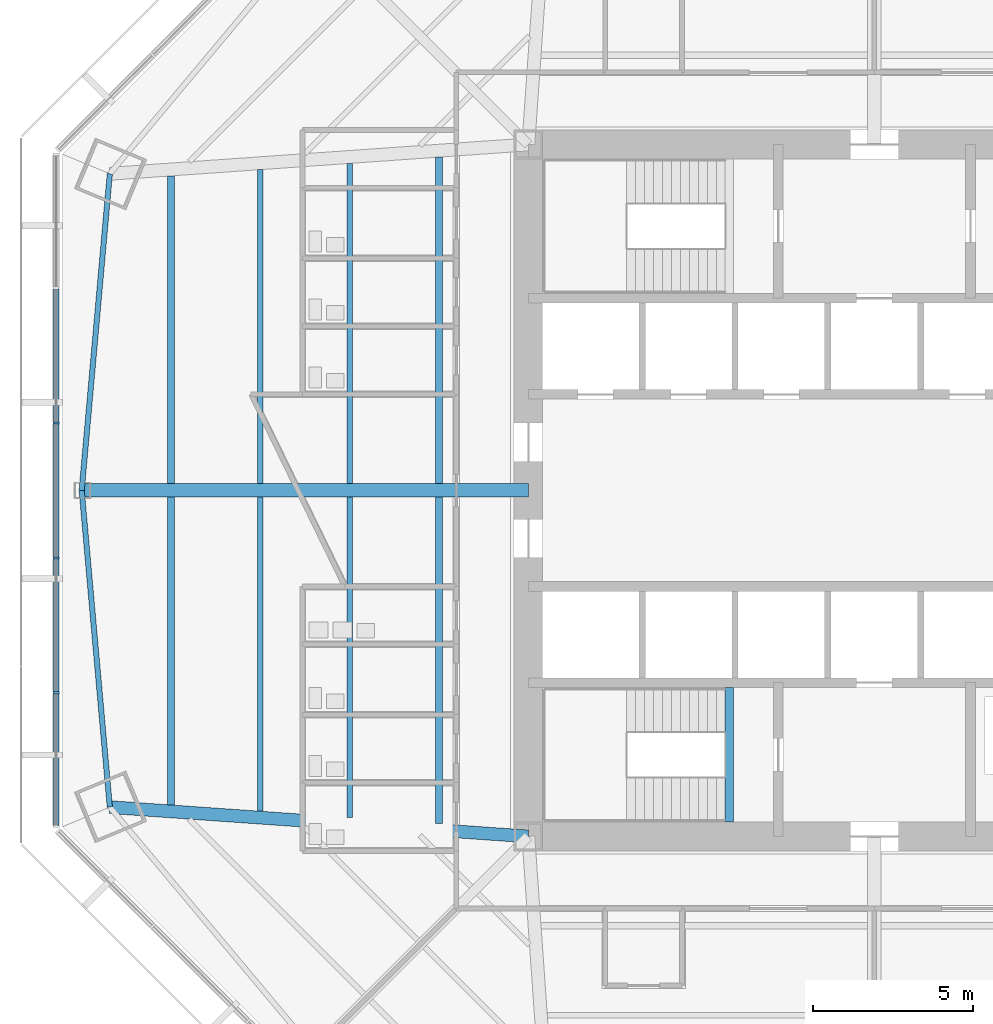
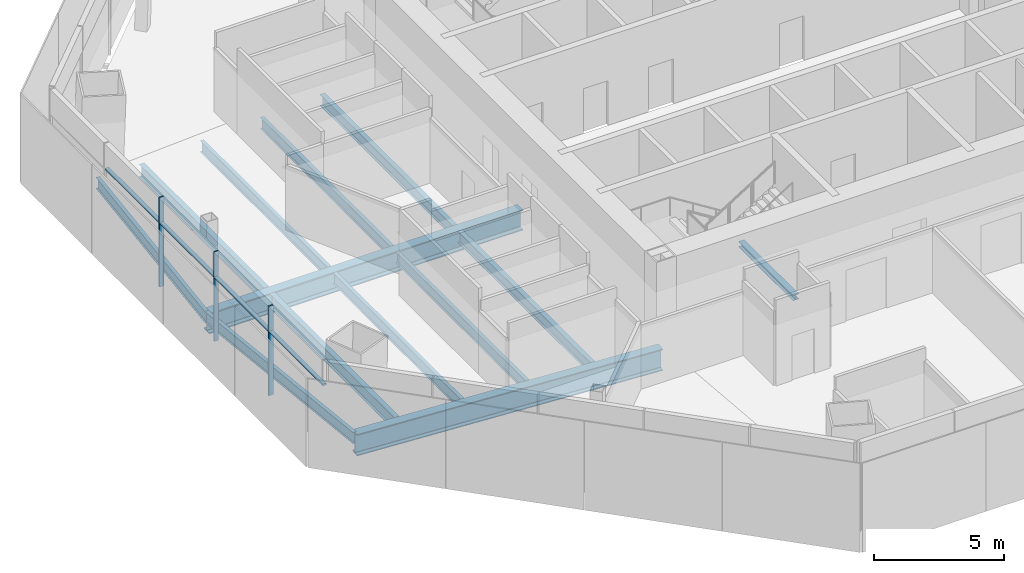
# One storey, part 3 of 17: 13 beams, 7 members, 1 element without a shape of its own.
"""IFC4 building model written with IfcOpenShell, lengths in metres."""

import ifcopenshell
import ifcopenshell.guid

model = None  # the IFC model being written
_history = None  # IfcOwnerHistory: only IFC2X3 demands one
_inside = {}  # id of a spatial element -> (the spatial element, [elements in it])
_under = {}  # id of a project, library or spatial element -> (it, [spatial elements below it])
_declared = {}  # id of a project -> (the project, [libraries it declares])
_typed = {}  # id of a type object -> (the type object, [elements of that type])
_made_of = {}  # id of a material, layer set ... -> (it, [elements and type objects made of it])


def new_model(schema):
    """Start an empty IFC model of exactly this schema.

    Asked for "IFC4X3", IfcOpenShell would pick the latest addendum, in which some entities
    have other attributes; the version numbers below select the first issue.
    IFC2X3 requires an IfcOwnerHistory on every rooted entity: one is made here for all.
    """
    global model, _history
    if schema == "IFC4X3":
        model = ifcopenshell.file(schema_version=(4, 3, 0, 0))
    else:
        model = ifcopenshell.file(schema=schema)
    _inside.clear()
    _under.clear()
    _declared.clear()
    _typed.clear()
    _made_of.clear()
    _history = None
    if model.schema == "IFC2X3":
        org = make("IfcOrganization", Name="unknown")
        user = make(
            "IfcPersonAndOrganization",
            ThePerson=make("IfcPerson", FamilyName="unknown"),
            TheOrganization=org,
        )
        app = make(
            "IfcApplication",
            ApplicationDeveloper=org,
            Version="unknown",
            ApplicationFullName="unknown",
            ApplicationIdentifier="unknown",
        )
        _history = make(
            "IfcOwnerHistory",
            OwningUser=user,
            OwningApplication=app,
            ChangeAction="ADDED",
            CreationDate=0,
        )
    return model


def make(cls, **values):
    """One entity of the class cls with the attributes given. An attribute that is None is left unset."""
    return model.create_entity(
        cls, **{name: value for name, value in values.items() if value is not None}
    )


def rooted(cls, **values):
    """An entity with a GlobalId (a new one), such as an element, a storey or a relation."""
    return make(cls, GlobalId=ifcopenshell.guid.new(), OwnerHistory=_history, **values)


def si_unit(unit_type, name, prefix=None):
    """IfcSIUnit, for example si_unit("LENGTHUNIT", "METRE", prefix="MILLI")."""
    return make("IfcSIUnit", UnitType=unit_type, Prefix=prefix, Name=name)


def assignment(units):
    """IfcUnitAssignment: the units of a project."""
    return None if units is None else make("IfcUnitAssignment", Units=units)


def point(xyz):
    """IfcCartesianPoint."""
    return None if xyz is None else make("IfcCartesianPoint", Coordinates=xyz)


def direction(xyz):
    """IfcDirection."""
    return None if xyz is None else make("IfcDirection", DirectionRatios=xyz)


def frame(location, z_axis=None, x_axis=None):
    """IfcAxis2Placement3D, a coordinate frame: its origin and axes. An axis left out is left unset."""
    return make(
        "IfcAxis2Placement3D",
        Location=point(location),
        Axis=direction(z_axis),
        RefDirection=direction(x_axis),
    )


def frame_2d(location, x_axis=None):
    """IfcAxis2Placement2D, a coordinate frame in the plane: its origin and x axis."""
    return make(
        "IfcAxis2Placement2D", Location=point(location), RefDirection=direction(x_axis)
    )


def origin():
    """The frame at (0, 0, 0) with its axes left unset."""
    return frame((0.0, 0.0, 0.0))


def origin_2d():
    """The frame at (0, 0) in the plane with its x axis left unset."""
    return frame_2d((0.0, 0.0))


def place(relative_to, where):
    """IfcLocalPlacement: puts the frame where relative to a parent placement (None: the world)."""
    return make(
        "IfcLocalPlacement", PlacementRelTo=relative_to, RelativePlacement=where
    )


def context(
    kind, dimensions, precision=None, world=None, true_north=None, identifier=None
):
    """IfcGeometricRepresentationContext, for example the 3D "Model" context."""
    return make(
        "IfcGeometricRepresentationContext",
        ContextIdentifier=identifier,
        ContextType=kind,
        CoordinateSpaceDimension=dimensions,
        Precision=precision,
        WorldCoordinateSystem=world,
        TrueNorth=true_north,
    )


def subcontext(parent, identifier, kind, view, scale=None):
    """IfcGeometricRepresentationSubContext, for example "Body" below "Model"."""
    return make(
        "IfcGeometricRepresentationSubContext",
        ContextIdentifier=identifier,
        ContextType=kind,
        ParentContext=parent,
        TargetScale=scale,
        TargetView=view,
    )


def project(units=None, contexts=None):
    """IfcProject with its units and contexts."""
    return rooted(
        "IfcProject",
        Name="project",
        RepresentationContexts=contexts,
        UnitsInContext=assignment(units),
    )


def spatial(cls, under=None, at=None, **own):
    """A site, building, storey or space (cls), placed at a placement, below another one or the project."""
    s = rooted(cls, ObjectPlacement=at, **own)
    if under is not None:
        _under.setdefault(under.id(), (under, []))[1].append(s)
    return s


def profile(cls, at=None, kind="AREA", **sizes):
    """A parametric profile (cls). Its sizes go by their IFC names, for example OverallWidth=200.0."""
    return make(cls, ProfileType=kind, Position=at, **sizes)


def rectangle(**sizes):
    """IfcRectangleProfileDef."""
    return profile("IfcRectangleProfileDef", **sizes)


def i_section(**sizes):
    """IfcIShapeProfileDef."""
    return profile("IfcIShapeProfileDef", **sizes)


def extrude(swept, where, along, depth):
    """IfcExtrudedAreaSolid: the profile swept, set in the frame where, extruded along a direction by depth."""
    return make(
        "IfcExtrudedAreaSolid",
        SweptArea=swept,
        Position=where,
        ExtrudedDirection=direction(along),
        Depth=depth,
    )


def shape(context_of_items, identifier, shape_type, items):
    """IfcShapeRepresentation: the items that make up one representation, for example the "Body"."""
    return make(
        "IfcShapeRepresentation",
        ContextOfItems=context_of_items,
        RepresentationIdentifier=identifier,
        RepresentationType=shape_type,
        Items=items,
    )


def source(mapping_origin, context_of_items, identifier, shape_type, items):
    """IfcRepresentationMap: a shape defined once, which mapped items show again and again."""
    return make(
        "IfcRepresentationMap",
        MappingOrigin=mapping_origin,
        MappedRepresentation=shape(context_of_items, identifier, shape_type, items),
    )


def transform(
    local_origin,
    x_axis=None,
    y_axis=None,
    z_axis=None,
    scale=None,
    scale2=None,
    scale3=None,
    uniform=True,
):
    """IfcCartesianTransformationOperator3D, or its non-uniform kind. x_axis, y_axis, z_axis: its Axis1, 2, 3."""
    if uniform:
        return make(
            "IfcCartesianTransformationOperator3D",
            Axis1=direction(x_axis),
            Axis2=direction(y_axis),
            LocalOrigin=point(local_origin),
            Scale=scale,
            Axis3=direction(z_axis),
        )
    return make(
        "IfcCartesianTransformationOperator3DnonUniform",
        Axis1=direction(x_axis),
        Axis2=direction(y_axis),
        LocalOrigin=point(local_origin),
        Scale=scale,
        Axis3=direction(z_axis),
        Scale2=scale2,
        Scale3=scale3,
    )


def mapped(mapping_source, mapping_target):
    """IfcMappedItem: shows the shape of a source again, moved by a transform."""
    return make(
        "IfcMappedItem", MappingSource=mapping_source, MappingTarget=mapping_target
    )


def material(Name=None, Category=None):
    """IfcMaterial."""
    return make("IfcMaterial", Name=Name, Category=Category)


def material_profile(
    of_material, cross_section, Name=None, Category=None, Priority=None
):
    """IfcMaterialProfile: a cross section and its material."""
    return make(
        "IfcMaterialProfile",
        Name=Name,
        Material=of_material,
        Profile=cross_section,
        Priority=Priority,
        Category=Category,
    )


def profile_set(profiles, Name=None, composite=None):
    """IfcMaterialProfileSet."""
    return make(
        "IfcMaterialProfileSet",
        Name=Name,
        MaterialProfiles=profiles,
        CompositeProfile=composite,
    )


def made_of(thing, what):
    """Note that an element or type object is made of a material, layer set ...; save() writes the relation."""
    if what is not None:
        _made_of.setdefault(what.id(), (what, []))[1].append(thing)
    return thing


def type_object(cls, material=None, **own):
    """A type object (cls), such as IfcWallType, which elements share."""
    return made_of(rooted(cls, **own), material)


def type_shapes(of_type, sources):
    """Give a type object the sources (RepresentationMaps) that its elements show as mapped items."""
    of_type.RepresentationMaps = sources


def element(
    cls,
    number,
    at=None,
    inside=None,
    cuts=None,
    type_object=None,
    material=None,
    context=None,
    identifier="Body",
    shape_type=None,
    held_by="IfcProductDefinitionShape",
    body=None,
    shapes=None,
    **own,
):
    """One element of the class cls, such as IfcWall. Its Tag is "e" and its number.

    at: its placement. inside: the storey or other place that contains it. cuts: it is an
    opening in that element (IfcRelVoidsElement). A single representation is given by context,
    identifier, shape_type and body (its items); several are given by shapes. held_by: the class
    of the entity that holds the representations. save() writes the other relations.
    """
    e = rooted(cls, Tag="e%d" % number, ObjectPlacement=at, **own)
    if body is not None:
        shapes = [shape(context, identifier, shape_type, body)]
    if shapes is not None:
        e.Representation = make(held_by, Representations=shapes)
    if inside is not None:
        _inside.setdefault(inside.id(), (inside, []))[1].append(e)
    if cuts is not None:
        rooted(
            "IfcRelVoidsElement", RelatingBuildingElement=cuts, RelatedOpeningElement=e
        )
    if type_object is not None:
        _typed.setdefault(type_object.id(), (type_object, []))[1].append(e)
    return made_of(e, material)


def aggregate(whole, parts):
    """IfcRelAggregates: a whole, such as a stair, and the parts it consists of."""
    return rooted("IfcRelAggregates", RelatingObject=whole, RelatedObjects=parts)


def save(model, path):
    """Write the relations noted so far, then the file.

    IfcRelAggregates (storeys below a building ...), IfcRelContainedInSpatialStructure (elements
    in a storey), IfcRelDefinesByType, IfcRelAssociatesMaterial and IfcRelDeclares: one each for
    every whole, place, type object, material and project.
    """
    for whole, parts in _under.values():
        aggregate(whole, parts)
    for where, things in _inside.values():
        rooted(
            "IfcRelContainedInSpatialStructure",
            RelatedElements=things,
            RelatingStructure=where,
        )
    for kind, things in _typed.values():
        rooted("IfcRelDefinesByType", RelatedObjects=things, RelatingType=kind)
    for what, things in _made_of.values():
        rooted("IfcRelAssociatesMaterial", RelatedObjects=things, RelatingMaterial=what)
    for by, libraries in _declared.values():
        rooted("IfcRelDeclares", RelatingContext=by, RelatedDefinitions=libraries)
    model.write(path)


model = new_model("IFC4")

# Units and contexts
model_context = context("Model", 3, precision=1e-05, world=origin(), true_north=direction((0.0, 1.0)))
body_context = subcontext(model_context, "Body", "Model", "MODEL_VIEW")
ifc_project = project(units=[si_unit("LENGTHUNIT", "METRE"), si_unit("AREAUNIT", "SQUARE_METRE"), si_unit("VOLUMEUNIT", "CUBIC_METRE"), si_unit("PLANEANGLEUNIT", "RADIAN"), si_unit("MASSUNIT", "GRAM", prefix="KILO")], contexts=[model_context])

# Site, building, storey
site_placement = place(None, origin())
site = spatial("IfcSite", under=ifc_project, at=site_placement, CompositionType="ELEMENT")
building_placement = place(site_placement, origin())
building = spatial("IfcBuilding", under=site, at=building_placement, Name="Mashrafa Tower", CompositionType="ELEMENT")
storey_placement = place(building_placement, frame((0.0, 0.0, 87.60009765625)))
storey = spatial("IfcBuildingStorey", under=building, at=storey_placement, Name="L19", CompositionType="ELEMENT", Elevation=87.60009765625)

# Beams
ifc_material_1 = material(Name="Steel ASTM A992", Category="steel")
ifc_material_profile_1 = material_profile(ifc_material_1, i_section(OverallWidth=0.165771484375, OverallDepth=0.5283203125, WebThickness=0.009765625, FlangeThickness=0.013671875, FilletRadius=0.012939453125, at=origin_2d()), Name="W21X50")
ifc_profile_set_1 = profile_set([ifc_material_profile_1], Name="Steel ASTM A992")
beam_type_1 = type_object("IfcBeamType", Name="Beam W21X50", PredefinedType="BEAM", material=ifc_profile_set_1)
for number, where, z_axis, x_axis, name in (
    (1, (-19.164794921875, -10.012451171875, -0.42919921875), (0.0, 1.0, 0.0), (-1.0, 0.0, 0.0), "Floor beam L19 004"),
    (2, (-19.164794921875, 0.212158203125, -0.42919921875), (0.0, 1.0, 0.0), (-1.0, 0.0, 0.0), "Floor beam L19 005"),
):
    element("IfcBeam", number, at=place(storey_placement, frame(where, z_axis=z_axis, x_axis=x_axis)), inside=storey, type_object=beam_type_1, Name=name, PredefinedType="BEAM", context=body_context, shape_type="SweptSolid", body=[
        extrude(i_section(OverallWidth=0.165771484375, OverallDepth=0.5283203125, WebThickness=0.009765625, FlangeThickness=0.013671875, FilletRadius=0.012939453125, at=origin_2d()), origin(), (0.0, 0.0, 1.0), 9.80029296875),
    ])
for number, where, z_axis, x_axis, name in (
    (3, (-16.37646484375, -10.2080078125, -0.42919921875), (0.0, 1.0, 0.0), (-1.0, 0.0, 0.0), "Floor beam L19 007"),
    (4, (-16.37646484375, 0.212158203125, -0.42919921875), (0.0, 1.0, 0.0), (-1.0, 0.0, 0.0), "Floor beam L19 008"),
):
    element("IfcBeam", number, at=place(storey_placement, frame(where, z_axis=z_axis, x_axis=x_axis)), inside=storey, type_object=beam_type_1, Name=name, PredefinedType="BEAM", context=body_context, shape_type="SweptSolid", body=[
        extrude(i_section(OverallWidth=0.165771484375, OverallDepth=0.5283203125, WebThickness=0.009765625, FlangeThickness=0.013671875, FilletRadius=0.012939453125, at=origin_2d()), origin(), (0.0, 0.0, 1.0), 9.995849609375),
    ])
for number, where, z_axis, x_axis, name in (
    (5, (-24.7412109375, 0.0, -0.42919921875), (0.088494768196, -0.996076641631, 0.0), (0.996076641631, 0.088494768196, 0.0), "Spandrel beam L19 073"),
    (6, (-23.863037109375, 9.884521484375, -0.42919921875), (-0.088494768196, -0.996076641631, 0.0), (0.996076641631, -0.088494768196, 0.0), "Spandrel beam L19 075"),
):
    element("IfcBeam", number, at=place(storey_placement, frame(where, z_axis=z_axis, x_axis=x_axis)), inside=storey, type_object=beam_type_1, Name=name, PredefinedType="BEAM", context=body_context, shape_type="SweptSolid", body=[
        extrude(i_section(OverallWidth=0.165771484375, OverallDepth=0.5283203125, WebThickness=0.009765625, FlangeThickness=0.013671875, FilletRadius=0.012939453125, at=origin_2d()), origin(), (0.0, 0.0, 1.0), 9.92333984375),
    ])
ifc_material_2 = material(Name="Steel ASTM A992", Category="steel")
ifc_material_profile_2 = material_profile(ifc_material_2, i_section(OverallWidth=0.209228515625, OverallDepth=0.533447265625, WebThickness=0.01025390625, FlangeThickness=0.015625, FilletRadius=0.012939453125, at=origin_2d()), Name="W21X62")
ifc_profile_set_2 = profile_set([ifc_material_profile_2], Name="Steel ASTM A992")
beam_type_2 = type_object("IfcBeamType", Name="Beam W21X62", PredefinedType="BEAM", material=ifc_profile_set_2)
for number, where, z_axis, x_axis, name in (
    (7, (-13.58837890625, -10.4033203125, -0.431884765625), (0.0, 1.0, 0.0), (-1.0, 0.0, 0.0), "Floor beam L19 014"),
    (8, (-13.58837890625, 0.212158203125, -0.431884765625), (0.0, 1.0, 0.0), (-1.0, 0.0, 0.0), "Floor beam L19 015"),
):
    element("IfcBeam", number, at=place(storey_placement, frame(where, z_axis=z_axis, x_axis=x_axis)), inside=storey, type_object=beam_type_2, Name=name, PredefinedType="BEAM", context=body_context, shape_type="SweptSolid", body=[
        extrude(i_section(OverallWidth=0.209228515625, OverallDepth=0.533447265625, WebThickness=0.01025390625, FlangeThickness=0.015625, FilletRadius=0.012939453125, at=origin_2d()), origin(), (0.0, 0.0, 1.0), 10.191162109375),
    ])
ifc_material_3 = material(Name="Steel ASTM A992", Category="steel")
ifc_material_profile_3 = material_profile(ifc_material_3, i_section(OverallWidth=0.227783203125, OverallDepth=0.60205078125, WebThickness=0.010498046875, FlangeThickness=0.014892578125, FilletRadius=0.012939453125, at=origin_2d()), Name="W24X68")
ifc_profile_set_3 = profile_set([ifc_material_profile_3], Name="Steel ASTM A992")
beam_type_3 = type_object("IfcBeamType", Name="Beam W24X68", PredefinedType="BEAM", material=ifc_profile_set_3)
for number, where, z_axis, x_axis, name in (
    (9, (-21.952880859375, -9.817138671875, -0.466064453125), (0.0, 1.0, 0.0), (-1.0, 0.0, 0.0), "Floor beam L19 001"),
    (10, (-21.952880859375, 0.212158203125, -0.466064453125), (0.0, 1.0, 0.0), (-1.0, 0.0, 0.0), "Floor beam L19 002"),
):
    element("IfcBeam", number, at=place(storey_placement, frame(where, z_axis=z_axis, x_axis=x_axis)), inside=storey, type_object=beam_type_3, Name=name, PredefinedType="BEAM", context=body_context, shape_type="SweptSolid", body=[
        extrude(i_section(OverallWidth=0.227783203125, OverallDepth=0.60205078125, WebThickness=0.010498046875, FlangeThickness=0.014892578125, FilletRadius=0.012939453125, at=origin_2d()), origin(), (0.0, 0.0, 1.0), 9.60498046875),
    ])
ifc_material_4 = material(Name="Steel ASTM A992", Category="steel")
ifc_material_profile_4 = material_profile(ifc_material_4, i_section(OverallWidth=0.424072265625, OverallDepth=0.960205078125, WebThickness=0.028564453125, FlangeThickness=0.051025390625, FilletRadius=0.02001953125, at=origin_2d()), Name="W36X361")
ifc_profile_set_4 = profile_set([ifc_material_profile_4], Name="Steel ASTM A992")
beam_type_4 = type_object("IfcBeamType", Name="Beam W36X361", PredefinedType="BEAM", material=ifc_profile_set_4)
beam_1_placement = place(storey_placement, frame((-10.800048828125, 0.0, -0.645263671875), z_axis=(-1.0, 0.0, 0.0), x_axis=(0.0, -1.0, 0.0)))
element("IfcBeam", 11, at=beam_1_placement, inside=storey, type_object=beam_type_4, Name="Radial girder L19 060", PredefinedType="BEAM", context=body_context, shape_type="SweptSolid", body=[
    extrude(i_section(OverallWidth=0.424072265625, OverallDepth=0.960205078125, WebThickness=0.028564453125, FlangeThickness=0.051025390625, FilletRadius=0.02001953125, at=origin_2d()), origin(), (0.0, 0.0, 1.0), 13.941162109375),
])
ifc_material_5 = material(Name="Steel ASTM A992", Category="steel")
ifc_material_profile_5 = material_profile(ifc_material_5, i_section(OverallWidth=0.4013671875, OverallDepth=1.010986328125, WebThickness=0.023681640625, FlangeThickness=0.0419921875, FilletRadius=0.02001953125, at=origin_2d()), Name="W40X297")
ifc_profile_set_5 = profile_set([ifc_material_profile_5], Name="Steel ASTM A992")
beam_type_5 = type_object("IfcBeamType", Name="Beam W40X297", PredefinedType="BEAM", material=ifc_profile_set_5)
beam_2_placement = place(storey_placement, frame((-10.800048828125, -10.800048828125, -0.670654296875), z_axis=(-0.997553015479, 0.069914099504, 0.0), x_axis=(-0.069914099504, -0.997553015479, 0.0)))
element("IfcBeam", 12, at=beam_2_placement, inside=storey, type_object=beam_type_5, Name="Radial girder L19 057", PredefinedType="BEAM", context=body_context, shape_type="SweptSolid", body=[
    extrude(i_section(OverallWidth=0.4013671875, OverallDepth=1.010986328125, WebThickness=0.023681640625, FlangeThickness=0.0419921875, FilletRadius=0.02001953125, at=origin_2d()), origin(), (0.0, 0.0, 1.0), 13.094970703125),
])
ifc_material_6 = material(Name="Steel ASTM A992", Category="steel")
ifc_material_profile_6 = material_profile(ifc_material_6, i_section(OverallWidth=0.25390625, OverallDepth=0.25390625, WebThickness=0.008544921875, FlangeThickness=0.01416015625, FilletRadius=0.010009765625, at=origin_2d()), Name="W10X49")
ifc_profile_set_6 = profile_set([ifc_material_profile_6], Name="Steel ASTM A992")
beam_type_6 = type_object("IfcBeamType", Name="Hoistway beam W10X49", PredefinedType="BEAM", material=ifc_profile_set_6)
beam_3_placement = place(storey_placement, frame((-4.530029296875, -10.35009765625, -0.3271484375), z_axis=(0.0, 1.0, 0.0), x_axis=(-1.0, 0.0, 0.0)))
element("IfcBeam", 13, at=beam_3_placement, inside=storey, type_object=beam_type_6, Name="Stair S3 landing beam L19", PredefinedType="BEAM", context=body_context, shape_type="SweptSolid", body=[
    extrude(i_section(OverallWidth=0.25390625, OverallDepth=0.25390625, WebThickness=0.008544921875, FlangeThickness=0.01416015625, FilletRadius=0.010009765625, at=origin_2d()), origin(), (0.0, 0.0, 1.0), 4.2001953125),
])

# Curtain wall, members
ifc_material_7 = material(Name="Unitised aluminium curtain wall", Category="aluminium")
curtain_wall_type = type_object("IfcCurtainWallType", Name="Office curtain wall, zone 1 CW-A 200 deep", PredefinedType="NOTDEFINED", material=ifc_material_7)
curtain_wall_placement = place(storey_placement, origin())
curtain_wall = element("IfcCurtainWall", 14, at=curtain_wall_placement, inside=storey, type_object=curtain_wall_type, Name="Office curtain wall, zone 1 L19 west", PredefinedType="NOTDEFINED")
ifc_material_8 = material(Name="Extruded aluminium mullion", Category="aluminium")
ifc_material_profile_7 = material_profile(ifc_material_8, rectangle(XDim=0.199951171875, YDim=0.06494140625, at=origin_2d()), Name="Mullion 65x200")
ifc_profile_set_7 = profile_set([ifc_material_profile_7], Name="Extruded aluminium mullion")
member_type_1 = type_object("IfcMemberType", Name="Mullion CW-A 65 x 200", PredefinedType="MULLION", material=ifc_profile_set_7)
shared_shape_1 = source(origin(), body_context, "Body", "SweptSolid", [
    extrude(rectangle(XDim=0.199951171875, YDim=0.06494140625, at=origin_2d()), origin(), (0.0, 0.0, 1.0), 4.199951171875),
])
type_shapes(member_type_1, [shared_shape_1])
member_1_placement = place(storey_placement, frame((-25.53662109375, 2.105224609375, 0.0), z_axis=(0.0, 0.0, 1.0), x_axis=(1.0, 0.0, 0.0)))
member_1 = element("IfcMember", 15, at=member_1_placement, type_object=member_type_1, Name="CW-A mullion 3", PredefinedType="MULLION", context=body_context, shape_type="MappedRepresentation", body=[
    mapped(shared_shape_1, transform((0.0, 0.0, 0.0))),
])
member_2_placement = place(storey_placement, frame((-25.53662109375, -2.105224609375, 0.0), z_axis=(0.0, 0.0, 1.0), x_axis=(1.0, 0.0, 0.0)))
member_2 = element("IfcMember", 16, at=member_2_placement, type_object=member_type_1, Name="CW-A mullion 4", PredefinedType="MULLION", context=body_context, shape_type="MappedRepresentation", body=[
    mapped(shared_shape_1, transform((0.0, 0.0, 0.0))),
])
member_3_placement = place(storey_placement, frame((-25.53662109375, -6.315673828125, 0.0), z_axis=(0.0, 0.0, 1.0), x_axis=(1.0, 0.0, 0.0)))
member_3 = element("IfcMember", 17, at=member_3_placement, type_object=member_type_1, Name="CW-A mullion 5", PredefinedType="MULLION", context=body_context, shape_type="MappedRepresentation", body=[
    mapped(shared_shape_1, transform((0.0, 0.0, 0.0))),
])
ifc_material_9 = material(Name="Extruded aluminium transom", Category="aluminium")
ifc_material_profile_8 = material_profile(ifc_material_9, rectangle(XDim=0.159912109375, YDim=0.080078125, at=origin_2d()), Name="Transom 80x160")
ifc_profile_set_8 = profile_set([ifc_material_profile_8], Name="Extruded aluminium transom")
member_type_2 = type_object("IfcMemberType", Name="Transom CW-A 80 x 160", PredefinedType="MULLION", material=ifc_profile_set_8)
shared_shape_2 = source(origin(), body_context, "Body", "SweptSolid", [
    extrude(rectangle(XDim=0.159912109375, YDim=0.080078125, at=origin_2d()), origin(), (0.0, 0.0, 1.0), 4.113037109375),
])
member_4_placement = place(storey_placement, frame((-25.53662109375, -6.34814453125, 3.0), z_axis=(0.0, -1.0, 0.0), x_axis=(1.0, 0.0, 0.0)))
member_4 = element("IfcMember", 18, at=member_4_placement, type_object=member_type_2, Name="CW-A transom 5", PredefinedType="MULLION", context=body_context, shape_type="MappedRepresentation", body=[
    mapped(shared_shape_2, transform((0.0, 0.0, 0.0))),
])
shared_shape_3 = source(origin(), body_context, "Body", "SweptSolid", [
    extrude(rectangle(XDim=0.159912109375, YDim=0.080078125, at=origin_2d()), origin(), (0.0, 0.0, 1.0), 4.1455078125),
])
type_shapes(member_type_2, [shared_shape_2, shared_shape_3])
member_5_placement = place(storey_placement, frame((-25.53662109375, 6.283203125, 3.0), z_axis=(0.0, -1.0, 0.0), x_axis=(1.0, 0.0, 0.0)))
member_5 = element("IfcMember", 19, at=member_5_placement, type_object=member_type_2, Name="CW-A transom 2", PredefinedType="MULLION", context=body_context, shape_type="MappedRepresentation", body=[
    mapped(shared_shape_3, transform((0.0, 0.0, 0.0))),
])
member_6_placement = place(storey_placement, frame((-25.53662109375, 2.07275390625, 3.0), z_axis=(0.0, -1.0, 0.0), x_axis=(1.0, 0.0, 0.0)))
member_6 = element("IfcMember", 20, at=member_6_placement, type_object=member_type_2, Name="CW-A transom 3", PredefinedType="MULLION", context=body_context, shape_type="MappedRepresentation", body=[
    mapped(shared_shape_3, transform((0.0, 0.0, 0.0))),
])
member_7_placement = place(storey_placement, frame((-25.53662109375, -2.1376953125, 3.0), z_axis=(0.0, -1.0, 0.0), x_axis=(1.0, 0.0, 0.0)))
member_7 = element("IfcMember", 21, at=member_7_placement, type_object=member_type_2, Name="CW-A transom 4", PredefinedType="MULLION", context=body_context, shape_type="MappedRepresentation", body=[
    mapped(shared_shape_3, transform((0.0, 0.0, 0.0))),
])
aggregate(curtain_wall, [member_1, member_2, member_3, member_5, member_6, member_7, member_4])

save(model, "model.ifc")
